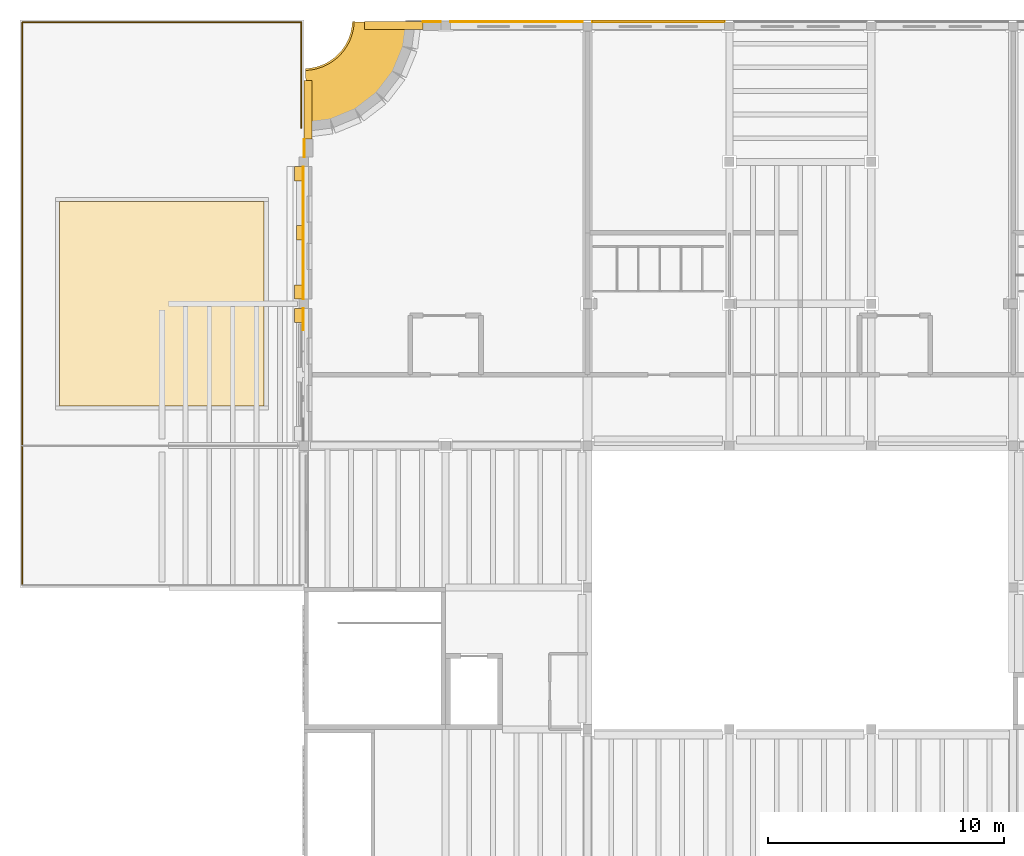
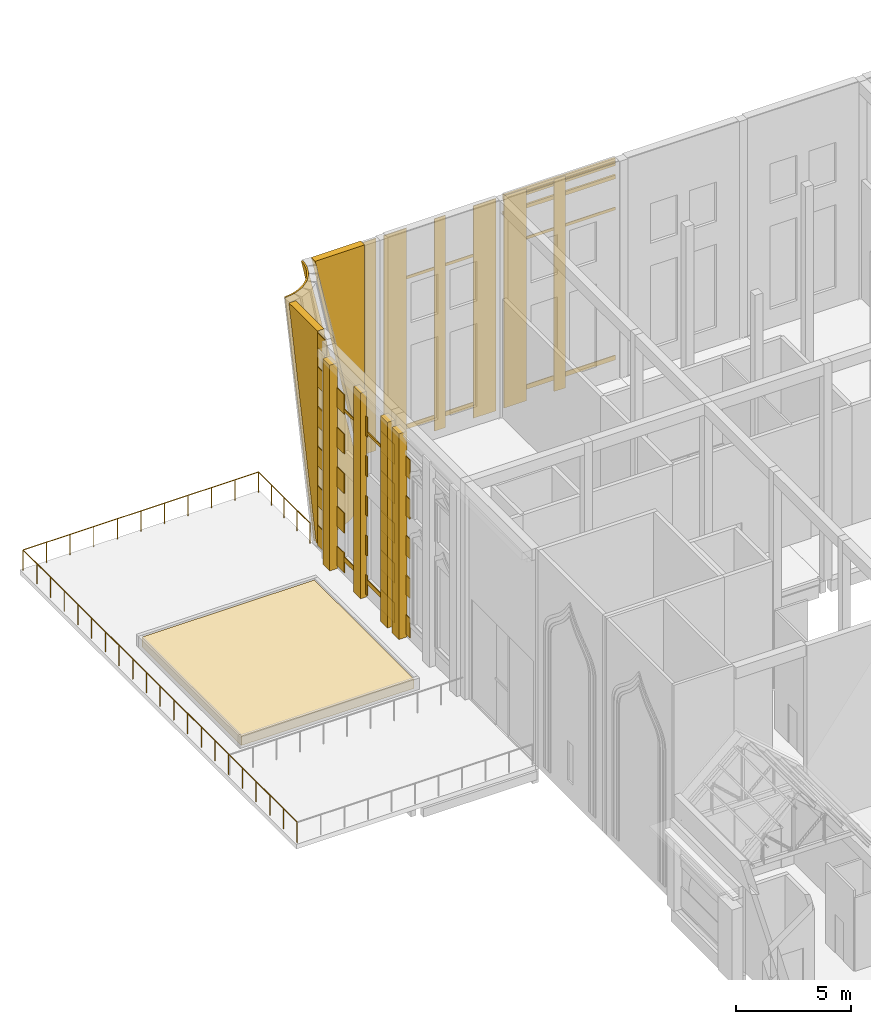
# One storey, part 114 of 118: 50 coverings, 3 railings.
"""IFC4 building model written with IfcOpenShell, lengths in metres."""

from ifc_helpers import new_model, entity, si_unit, direction, frame, origin, origin_2d, place, context, subcontext, project, spatial, polyline, rectangle, circle, outline, extrude, material, layer, layer_set, type_object, element, save


model = new_model("IFC4")

# Units and contexts
model_context = context("Model", 3, precision=1e-05, world=origin(), true_north=direction((0.0, 1.0)))
body_context = subcontext(model_context, "Body", "Model", "MODEL_VIEW")
ifc_project = project(units=[si_unit("LENGTHUNIT", "METRE"), si_unit("AREAUNIT", "SQUARE_METRE"), si_unit("VOLUMEUNIT", "CUBIC_METRE"), si_unit("PLANEANGLEUNIT", "RADIAN"), si_unit("MASSUNIT", "GRAM", prefix="KILO")], contexts=[model_context])

# Site, building, storey
site_placement = place(None, origin())
site = spatial("IfcSite", under=ifc_project, at=site_placement, CompositionType="ELEMENT")
building_placement = place(site_placement, origin())
building = spatial("IfcBuilding", under=site, at=building_placement, Name="Saffron Lane Theatres", CompositionType="ELEMENT")
storey_placement = place(building_placement, frame((0.0, 0.0, 16.5)))
storey = spatial("IfcBuildingStorey", under=building, at=storey_placement, Name="L03", CompositionType="ELEMENT", Elevation=16.5)

# Coverings
ifc_material_1 = material(Name="Masonry sandstone", Category="masonry")
ifc_layer_1 = layer(ifc_material_1, 0.179931640625)
ifc_layer_set_1 = layer_set([ifc_layer_1], Name="Masonry sandstone")
covering_type_1 = type_object("IfcCoveringType", Name="EX-EAVES CORNICE SANDSTONE 180", PredefinedType="CLADDING", material=ifc_layer_set_1)
for number, where, z_axis, x_axis, name in (
    (1, (27.0, 125.948974609375, 11.31005859375), (0.0, 0.0, 1.0), (1.0, 0.0, 0.0), "Eaves cornice L03"),
    (2, (27.0, 125.948974609375, 11.18017578125), (0.0, 0.0, 1.0), (1.0, 0.0, 0.0), "Eaves cornice L03"),
):
    element("IfcCovering", number, at=place(storey_placement, frame(where, z_axis=z_axis, x_axis=x_axis)), inside=storey, type_object=covering_type_1, Name=name, PredefinedType="CLADDING", context=body_context, shape_type="SweptSolid", body=[
        extrude(rectangle(XDim=5.60009765625, YDim=0.096923828125, at=origin_2d()), origin(), (0.0, 0.0, 1.0), 0.1298828125),
    ])
covering_1_placement = place(storey_placement, frame((27.0, 125.93994140625, 11.050048828125), z_axis=(0.0, 0.0, 1.0), x_axis=(1.0, 0.0, 0.0)))
element("IfcCovering", 3, at=covering_1_placement, inside=storey, type_object=covering_type_1, Name="Eaves cornice L03", PredefinedType="CLADDING", context=body_context, shape_type="SweptSolid", body=[
    extrude(rectangle(XDim=5.60009765625, YDim=0.080078125, at=origin_2d()), origin(), (0.0, 0.0, 1.0), 0.1298828125),
])
ifc_material_2 = material(Name="Masonry sandstone", Category="masonry")
ifc_layer_2 = layer(ifc_material_2, 0.1201171875)
ifc_layer_set_2 = layer_set([ifc_layer_2], Name="Masonry sandstone")
covering_type_2 = type_object("IfcCoveringType", Name="EX-EAVES STRING COURSE SANDSTONE 120", PredefinedType="CLADDING", material=ifc_layer_set_2)
covering_2_placement = place(storey_placement, frame((27.0, 125.948974609375, 10.35009765625), z_axis=(0.0, 0.0, 1.0), x_axis=(1.0, 0.0, 0.0)))
element("IfcCovering", 4, at=covering_2_placement, inside=storey, type_object=covering_type_2, Name="Eaves string course L03", PredefinedType="CLADDING", context=body_context, shape_type="SweptSolid", body=[
    extrude(rectangle(XDim=5.60009765625, YDim=0.096923828125, at=origin_2d()), origin(), (0.0, 0.0, 1.0), 0.199951171875),
])
ifc_material_3 = material(Name="Masonry pale clay brick", Category="masonry")
ifc_layer_3 = layer(ifc_material_3, 0.35009765625)
ifc_layer_set_3 = layer_set([ifc_layer_3], Name="Masonry pale clay brick")
covering_type_3 = type_object("IfcCoveringType", Name="EX-END INFILL CLADDING BRICK 350", PredefinedType="CLADDING", material=ifc_layer_set_3)
covering_3_placement = place(storey_placement, frame((17.0361328125, 125.93994140625, 11.5), z_axis=(0.0, 1.0, 0.0), x_axis=(0.0, 0.0, -1.0)))
element("IfcCovering", 5, at=covering_3_placement, inside=storey, type_object=covering_type_3, Name="Wall end infill L03 02", PredefinedType="CLADDING", context=body_context, shape_type="SweptSolid", body=[
    extrude(outline(polyline([(0.0, 0.0), (11.25, 0.0), (11.25, 0.10986328125), (0.0, 2.470703125), (0.0, 0.0)])), origin(), (0.0, 0.0, -1.0), 0.35009765625),
])
covering_4_placement = place(storey_placement, frame((12.0, 120.96337890625, 0.25), z_axis=(-1.0, 0.0, 0.0), x_axis=(0.0, 0.0, 1.0)))
element("IfcCovering", 6, at=covering_4_placement, inside=storey, type_object=covering_type_3, Name="Wall end infill L03 33", PredefinedType="CLADDING", context=body_context, shape_type="SweptSolid", body=[
    extrude(outline(polyline([(0.0, 0.0), (11.25, 0.0), (11.25, 2.470703125), (0.0, 0.10986328125), (0.0, 0.0)])), origin(), (0.0, 0.0, -1.0), 0.35009765625),
])
ifc_material_4 = material(Name="Face brick cladding, pale buff", Category="masonry")
ifc_layer_4 = layer(ifc_material_4, 0.0400390625)
ifc_layer_set_4 = layer_set([ifc_layer_4], Name="Face brick cladding, pale buff")
covering_type_4 = type_object("IfcCoveringType", Name="EX-FACE BRICK CLADDING PALE BUFF 40", PredefinedType="CLADDING", material=ifc_layer_set_4)
covering_5_placement = place(storey_placement, frame((17.41796875, 125.919921875, 0.14990234375), z_axis=(0.0, 0.0, 1.0), x_axis=(1.0, 0.0, 0.0)))
element("IfcCovering", 7, at=covering_5_placement, inside=storey, type_object=covering_type_4, Name="Cladding course L03", PredefinedType="CLADDING", context=body_context, shape_type="SweptSolid", body=[
    extrude(rectangle(XDim=0.763916015625, YDim=0.0400390625, at=origin_2d()), origin(), (0.0, 0.0, 1.0), 11.25),
])
covering_6_placement = place(storey_placement, frame((18.764892578125, 125.919921875, 0.14990234375), z_axis=(0.0, 0.0, 1.0), x_axis=(1.0, 0.0, 0.0)))
element("IfcCovering", 8, at=covering_6_placement, inside=storey, type_object=covering_type_4, Name="Cladding course L03", PredefinedType="CLADDING", context=body_context, shape_type="SweptSolid", body=[
    extrude(rectangle(XDim=1.1298828125, YDim=0.0400390625, at=origin_2d()), origin(), (0.0, 0.0, 1.0), 11.25),
])
covering_7_placement = place(storey_placement, frame((21.0, 125.919921875, 0.14990234375), z_axis=(0.0, 0.0, 1.0), x_axis=(1.0, 0.0, 0.0)))
element("IfcCovering", 9, at=covering_7_placement, inside=storey, type_object=covering_type_4, Name="Cladding course L03", PredefinedType="CLADDING", context=body_context, shape_type="SweptSolid", body=[
    extrude(rectangle(XDim=0.56005859375, YDim=0.0400390625, at=origin_2d()), origin(), (0.0, 0.0, 1.0), 11.25),
])
for number, where, z_axis, x_axis, name in (
    (10, (23.235107421875, 125.919921875, 0.14990234375), (0.0, 0.0, 1.0), (1.0, 0.0, 0.0), "Cladding course L03"),
    (11, (24.764892578125, 125.919921875, 0.14990234375), (0.0, 0.0, 1.0), (1.0, 0.0, 0.0), "Cladding course L03"),
):
    element("IfcCovering", number, at=place(storey_placement, frame(where, z_axis=z_axis, x_axis=x_axis)), inside=storey, type_object=covering_type_4, Name=name, PredefinedType="CLADDING", context=body_context, shape_type="SweptSolid", body=[
        extrude(rectangle(XDim=1.1298828125, YDim=0.0400390625, at=origin_2d()), origin(), (0.0, 0.0, 1.0), 11.25),
    ])
covering_8_placement = place(storey_placement, frame((27.0, 125.919921875, 0.14990234375), z_axis=(0.0, 0.0, 1.0), x_axis=(1.0, 0.0, 0.0)))
element("IfcCovering", 12, at=covering_8_placement, inside=storey, type_object=covering_type_4, Name="Cladding course L03", PredefinedType="CLADDING", context=body_context, shape_type="SweptSolid", body=[
    extrude(rectangle(XDim=0.56005859375, YDim=0.0400390625, at=origin_2d()), origin(), (0.0, 0.0, 1.0), 11.25),
])
for number, where, z_axis, x_axis, name in (
    (13, (11.97998046875, 113.3349609375, 0.14990234375), (0.0, 0.0, 1.0), (0.0, 1.0, 0.0), "Cladding course L03"),
    (14, (11.97998046875, 113.3349609375, 2.25), (0.0, 0.0, 1.0), (0.0, 1.0, 0.0), "Cladding course L03"),
    (15, (11.97998046875, 113.3349609375, 4.35009765625), (0.0, 0.0, 1.0), (0.0, 1.0, 0.0), "Cladding course L03"),
    (16, (11.97998046875, 113.3349609375, 6.4501953125), (0.0, 0.0, 1.0), (0.0, 1.0, 0.0), "Cladding course L03"),
    (17, (11.97998046875, 113.3349609375, 8.5498046875), (0.0, 0.0, 1.0), (0.0, 1.0, 0.0), "Cladding course L03"),
):
    element("IfcCovering", number, at=place(storey_placement, frame(where, z_axis=z_axis, x_axis=x_axis)), inside=storey, type_object=covering_type_4, Name=name, PredefinedType="CLADDING", context=body_context, shape_type="SweptSolid", body=[
        extrude(rectangle(XDim=0.929931640625, YDim=0.0400390625, at=origin_2d()), origin(), (0.0, 0.0, 1.0), 1.050048828125),
    ])
covering_9_placement = place(storey_placement, frame((11.97998046875, 114.81494140625, 0.14990234375), z_axis=(0.0, 0.0, 1.0), x_axis=(0.0, 1.0, 0.0)))
element("IfcCovering", 18, at=covering_9_placement, inside=storey, type_object=covering_type_4, Name="Cladding course L03", PredefinedType="CLADDING", context=body_context, shape_type="SweptSolid", body=[
    extrude(rectangle(XDim=1.22998046875, YDim=0.0400390625, at=origin_2d()), origin(), (0.0, 0.0, 1.0), 1.050048828125),
])
covering_10_placement = place(storey_placement, frame((11.97998046875, 117.0, 0.14990234375), z_axis=(0.0, 0.0, 1.0), x_axis=(0.0, 1.0, 0.0)))
element("IfcCovering", 19, at=covering_10_placement, inside=storey, type_object=covering_type_4, Name="Cladding course L03", PredefinedType="CLADDING", context=body_context, shape_type="SweptSolid", body=[
    extrude(rectangle(XDim=0.860107421875, YDim=0.0400390625, at=origin_2d()), origin(), (0.0, 0.0, 1.0), 1.050048828125),
])
for number, where, z_axis, x_axis, name in (
    (20, (11.97998046875, 119.18505859375, 0.14990234375), (0.0, 0.0, 1.0), (0.0, 1.0, 0.0), "Cladding course L03"),
    (21, (11.97998046875, 114.81494140625, 2.25), (0.0, 0.0, 1.0), (0.0, 1.0, 0.0), "Cladding course L03"),
):
    element("IfcCovering", number, at=place(storey_placement, frame(where, z_axis=z_axis, x_axis=x_axis)), inside=storey, type_object=covering_type_4, Name=name, PredefinedType="CLADDING", context=body_context, shape_type="SweptSolid", body=[
        extrude(rectangle(XDim=1.22998046875, YDim=0.0400390625, at=origin_2d()), origin(), (0.0, 0.0, 1.0), 1.050048828125),
    ])
covering_11_placement = place(storey_placement, frame((11.97998046875, 117.0, 2.25), z_axis=(0.0, 0.0, 1.0), x_axis=(0.0, 1.0, 0.0)))
element("IfcCovering", 22, at=covering_11_placement, inside=storey, type_object=covering_type_4, Name="Cladding course L03", PredefinedType="CLADDING", context=body_context, shape_type="SweptSolid", body=[
    extrude(rectangle(XDim=0.860107421875, YDim=0.0400390625, at=origin_2d()), origin(), (0.0, 0.0, 1.0), 1.050048828125),
])
for number, where, z_axis, x_axis, name in (
    (23, (11.97998046875, 119.18505859375, 2.25), (0.0, 0.0, 1.0), (0.0, 1.0, 0.0), "Cladding course L03"),
    (24, (11.97998046875, 114.81494140625, 4.35009765625), (0.0, 0.0, 1.0), (0.0, 1.0, 0.0), "Cladding course L03"),
):
    element("IfcCovering", number, at=place(storey_placement, frame(where, z_axis=z_axis, x_axis=x_axis)), inside=storey, type_object=covering_type_4, Name=name, PredefinedType="CLADDING", context=body_context, shape_type="SweptSolid", body=[
        extrude(rectangle(XDim=1.22998046875, YDim=0.0400390625, at=origin_2d()), origin(), (0.0, 0.0, 1.0), 1.050048828125),
    ])
covering_12_placement = place(storey_placement, frame((11.97998046875, 117.0, 4.35009765625), z_axis=(0.0, 0.0, 1.0), x_axis=(0.0, 1.0, 0.0)))
element("IfcCovering", 25, at=covering_12_placement, inside=storey, type_object=covering_type_4, Name="Cladding course L03", PredefinedType="CLADDING", context=body_context, shape_type="SweptSolid", body=[
    extrude(rectangle(XDim=0.860107421875, YDim=0.0400390625, at=origin_2d()), origin(), (0.0, 0.0, 1.0), 1.050048828125),
])
for number, where, z_axis, x_axis, name in (
    (26, (11.97998046875, 119.18505859375, 4.35009765625), (0.0, 0.0, 1.0), (0.0, 1.0, 0.0), "Cladding course L03"),
    (27, (11.97998046875, 114.81494140625, 6.4501953125), (0.0, 0.0, 1.0), (0.0, 1.0, 0.0), "Cladding course L03"),
):
    element("IfcCovering", number, at=place(storey_placement, frame(where, z_axis=z_axis, x_axis=x_axis)), inside=storey, type_object=covering_type_4, Name=name, PredefinedType="CLADDING", context=body_context, shape_type="SweptSolid", body=[
        extrude(rectangle(XDim=1.22998046875, YDim=0.0400390625, at=origin_2d()), origin(), (0.0, 0.0, 1.0), 1.050048828125),
    ])
covering_13_placement = place(storey_placement, frame((11.97998046875, 117.0, 6.4501953125), z_axis=(0.0, 0.0, 1.0), x_axis=(0.0, 1.0, 0.0)))
element("IfcCovering", 28, at=covering_13_placement, inside=storey, type_object=covering_type_4, Name="Cladding course L03", PredefinedType="CLADDING", context=body_context, shape_type="SweptSolid", body=[
    extrude(rectangle(XDim=0.860107421875, YDim=0.0400390625, at=origin_2d()), origin(), (0.0, 0.0, 1.0), 1.050048828125),
])
for number, where, z_axis, x_axis, name in (
    (29, (11.97998046875, 119.18505859375, 6.4501953125), (0.0, 0.0, 1.0), (0.0, 1.0, 0.0), "Cladding course L03"),
    (30, (11.97998046875, 114.81494140625, 8.5498046875), (0.0, 0.0, 1.0), (0.0, 1.0, 0.0), "Cladding course L03"),
):
    element("IfcCovering", number, at=place(storey_placement, frame(where, z_axis=z_axis, x_axis=x_axis)), inside=storey, type_object=covering_type_4, Name=name, PredefinedType="CLADDING", context=body_context, shape_type="SweptSolid", body=[
        extrude(rectangle(XDim=1.22998046875, YDim=0.0400390625, at=origin_2d()), origin(), (0.0, 0.0, 1.0), 1.050048828125),
    ])
covering_14_placement = place(storey_placement, frame((11.97998046875, 117.0, 8.5498046875), z_axis=(0.0, 0.0, 1.0), x_axis=(0.0, 1.0, 0.0)))
element("IfcCovering", 31, at=covering_14_placement, inside=storey, type_object=covering_type_4, Name="Cladding course L03", PredefinedType="CLADDING", context=body_context, shape_type="SweptSolid", body=[
    extrude(rectangle(XDim=0.860107421875, YDim=0.0400390625, at=origin_2d()), origin(), (0.0, 0.0, 1.0), 1.050048828125),
])
covering_15_placement = place(storey_placement, frame((11.97998046875, 119.18505859375, 8.5498046875), z_axis=(0.0, 0.0, 1.0), x_axis=(0.0, 1.0, 0.0)))
element("IfcCovering", 32, at=covering_15_placement, inside=storey, type_object=covering_type_4, Name="Cladding course L03", PredefinedType="CLADDING", context=body_context, shape_type="SweptSolid", body=[
    extrude(rectangle(XDim=1.22998046875, YDim=0.0400390625, at=origin_2d()), origin(), (0.0, 0.0, 1.0), 1.050048828125),
])
for number, where, z_axis, x_axis, name in (
    (33, (12.030029296875, 120.58203125, 0.14990234375), (0.0, 0.0, 1.0), (0.0, 1.0, 0.0), "Cladding course L03"),
    (34, (12.030029296875, 120.58203125, 2.25), (0.0, 0.0, 1.0), (0.0, 1.0, 0.0), "Cladding course L03"),
    (35, (12.030029296875, 120.58203125, 4.35009765625), (0.0, 0.0, 1.0), (0.0, 1.0, 0.0), "Cladding course L03"),
    (36, (12.030029296875, 120.58203125, 6.4501953125), (0.0, 0.0, 1.0), (0.0, 1.0, 0.0), "Cladding course L03"),
    (37, (12.030029296875, 120.58203125, 8.5498046875), (0.0, 0.0, 1.0), (0.0, 1.0, 0.0), "Cladding course L03"),
):
    element("IfcCovering", number, at=place(storey_placement, frame(where, z_axis=z_axis, x_axis=x_axis)), inside=storey, type_object=covering_type_4, Name=name, PredefinedType="CLADDING", context=body_context, shape_type="SweptSolid", body=[
        extrude(rectangle(XDim=0.762939453125, YDim=0.0400390625, at=origin_2d()), origin(), (0.0, 0.0, 1.0), 1.050048828125),
    ])
covering_16_placement = place(storey_placement, frame((12.030029296875, 120.58203125, 10.64990234375), z_axis=(0.0, 0.0, 1.0), x_axis=(0.0, 1.0, 0.0)))
element("IfcCovering", 38, at=covering_16_placement, inside=storey, type_object=covering_type_4, Name="Cladding course L03", PredefinedType="CLADDING", context=body_context, shape_type="SweptSolid", body=[
    extrude(rectangle(XDim=0.762939453125, YDim=0.0400390625, at=origin_2d()), origin(), (0.0, 0.0, 1.0), 0.75),
])
ifc_material_5 = material(Name="Masonry sandstone", Category="masonry")
ifc_layer_5 = layer(ifc_material_5, 0.0400390625)
ifc_layer_set_5 = layer_set([ifc_layer_5], Name="Masonry sandstone")
covering_type_5 = type_object("IfcCoveringType", Name="EX-HEAD COURSE SANDSTONE 150", PredefinedType="CLADDING", material=ifc_layer_set_5)
for number, where, z_axis, x_axis, name in (
    (39, (21.0, 125.920166015625, 8.699951171875), (0.0, 0.0, 1.0), (1.0, 0.0, 0.0), "Facade head course L03"),
    (40, (27.0, 125.920166015625, 8.699951171875), (0.0, 0.0, 1.0), (1.0, 0.0, 0.0), "Facade head course L03"),
    (41, (11.97998046875, 117.0, 8.699951171875), (0.0, 0.0, 1.0), (0.0, 1.0, 0.0), "Facade head course L03"),
):
    element("IfcCovering", number, at=place(storey_placement, frame(where, z_axis=z_axis, x_axis=x_axis)), inside=storey, type_object=covering_type_5, Name=name, PredefinedType="CLADDING", context=body_context, shape_type="SweptSolid", body=[
        extrude(rectangle(XDim=5.60009765625, YDim=0.0400390625, at=origin_2d()), origin(), (0.0, 0.0, 1.0), 0.14990234375),
    ])
ifc_material_6 = material(Name="Masonry sandstone", Category="masonry")
ifc_layer_6 = layer(ifc_material_6, 0.39990234375)
ifc_layer_set_6 = layer_set([ifc_layer_6], Name="Masonry sandstone")
covering_type_6 = type_object("IfcCoveringType", Name="EX-PILASTER PIER SANDSTONE 400", PredefinedType="CLADDING", material=ifc_layer_set_6)
for number, where, z_axis, x_axis, name in (
    (42, (11.800048828125, 113.5, 0.0), (0.0, 0.0, 1.0), (0.0, 1.0, 0.0), "Pilaster pier L03"),
    (43, (11.800048828125, 114.5, 0.0), (0.0, 0.0, 1.0), (0.0, 1.0, 0.0), "Pilaster pier L03"),
    (44, (11.800048828125, 119.5, 0.0), (0.0, 0.0, 1.0), (0.0, 1.0, 0.0), "Pilaster pier L03"),
):
    element("IfcCovering", number, at=place(storey_placement, frame(where, z_axis=z_axis, x_axis=x_axis)), inside=storey, type_object=covering_type_6, Name=name, PredefinedType="CLADDING", context=body_context, shape_type="SweptSolid", body=[
        extrude(rectangle(XDim=0.60009765625, YDim=0.39990234375, at=origin_2d()), origin(), (0.0, 0.0, 1.0), 10.89990234375),
    ])
ifc_material_7 = material(Name="Masonry pale clay brick", Category="masonry")
ifc_layer_7 = layer(ifc_material_7, 0.300048828125)
ifc_layer_set_7 = layer_set([ifc_layer_7], Name="Masonry pale clay brick")
covering_type_7 = type_object("IfcCoveringType", Name="EX-PILASTER STRIP BRICK 300", PredefinedType="CLADDING", material=ifc_layer_set_7)
covering_17_placement = place(storey_placement, frame((11.85009765625, 117.0, 0.0), z_axis=(0.0, 0.0, 1.0), x_axis=(0.0, 1.0, 0.0)))
element("IfcCovering", 45, at=covering_17_placement, inside=storey, type_object=covering_type_7, Name="Pilaster strip L03", PredefinedType="CLADDING", context=body_context, shape_type="SweptSolid", body=[
    extrude(rectangle(XDim=0.60009765625, YDim=0.300048828125, at=origin_2d()), origin(), (0.0, 0.0, 1.0), 10.89990234375),
])
ifc_material_8 = material(Name="Growing medium topsoil", Category="soil")
ifc_layer_8 = layer(ifc_material_8, 0.5)
ifc_layer_set_8 = layer_set([ifc_layer_8], Name="Growing medium topsoil")
covering_type_8 = type_object("IfcCoveringType", Name="EX-PLANTING BED GROWING MEDIUM 500", PredefinedType="CLADDING", material=ifc_layer_set_8)
covering_18_placement = place(storey_placement, origin())
element("IfcCovering", 46, at=covering_18_placement, inside=storey, type_object=covering_type_8, Name="Planting bed W", PredefinedType="CLADDING", context=body_context, shape_type="SweptSolid", body=[
    extrude(outline(polyline([(1.675048828125, 109.675048828125), (10.324951171875, 109.675048828125), (10.324951171875, 118.324951171875), (1.675048828125, 118.324951171875), (1.675048828125, 109.675048828125)])), origin(), (0.0, 0.0, 1.0), 0.5),
])
ifc_material_9 = material(Name="Face brick cladding, pale buff", Category="masonry")
ifc_layer_9 = layer(ifc_material_9, 0.080078125)
ifc_layer_set_9 = layer_set([ifc_layer_9], Name="Face brick cladding, pale buff")
covering_type_9 = type_object("IfcCoveringType", Name="EX-SCOOP SKIN FACE BRICK PALE BUFF 80", PredefinedType="CLADDING", material=ifc_layer_set_9)
covering_19_placement = place(storey_placement, frame((12.0, 125.99951171875, -16.5), z_axis=(0.0, 0.0, 1.0), x_axis=(0.034066, -0.99942, 0.0)))
cartesian_point_1 = entity("IfcCartesianPoint", [4.447509765625, 16.5])
cartesian_point_2 = entity("IfcCartesianPoint", [0.0, 0.0, 0.0])
element("IfcCovering", 47, at=covering_19_placement, inside=storey, type_object=covering_type_9, Name="Scoop skin NW L03", PredefinedType="CLADDING", context=body_context, shape_type="SweptSolid", body=[
    entity("IfcRevolvedAreaSolid", entity("IfcArbitraryClosedProfileDef", "AREA", None, entity("IfcPolyline", [cartesian_point_1, entity("IfcCartesianPoint", [4.527587890625, 16.5]), entity("IfcCartesianPoint", [2.134765625, 28.0]), entity("IfcCartesianPoint", [2.0546875, 28.0]), cartesian_point_1])), entity("IfcAxis2Placement3D", cartesian_point_2, entity("IfcDirection", [0.0, -1.0, 0.0]), entity("IfcDirection", [1.0, 0.0, 0.0])), entity("IfcAxis1Placement", cartesian_point_2, entity("IfcDirection", [0.0, 1.0, 0.0])), 1.502651),
])
ifc_material_10 = material(Name="Masonry sandstone", Category="masonry")
ifc_layer_10 = layer(ifc_material_10, 0.0400390625)
ifc_layer_set_10 = layer_set([ifc_layer_10], Name="Masonry sandstone")
covering_type_10 = type_object("IfcCoveringType", Name="EX-SILL COURSE SANDSTONE 250", PredefinedType="CLADDING", material=ifc_layer_set_10)
for number, where, z_axis, x_axis, name in (
    (48, (21.0, 125.920166015625, 0.75), (0.0, 0.0, 1.0), (1.0, 0.0, 0.0), "Facade sill course L03"),
    (49, (27.0, 125.920166015625, 0.75), (0.0, 0.0, 1.0), (1.0, 0.0, 0.0), "Facade sill course L03"),
    (50, (11.97998046875, 117.0, 0.75), (0.0, 0.0, 1.0), (0.0, 1.0, 0.0), "Facade sill course L03"),
):
    element("IfcCovering", number, at=place(storey_placement, frame(where, z_axis=z_axis, x_axis=x_axis)), inside=storey, type_object=covering_type_10, Name=name, PredefinedType="CLADDING", context=body_context, shape_type="SweptSolid", body=[
        extrude(rectangle(XDim=5.60009765625, YDim=0.0400390625, at=origin_2d()), origin(), (0.0, 0.0, 1.0), 0.25),
    ])

# Railings
railing_1_placement = place(storey_placement, frame((0.10009765625, 102.10009765625, 0.0)))
element("IfcRailing", 51, at=railing_1_placement, inside=storey, Name="Roof garden guard W", PredefinedType="GUARDRAIL", context=body_context, shape_type="SweptSolid", body=[
    extrude(circle(Radius=0.02392578125, at=origin_2d()), frame((0.0, 0.0, 1.076171875), z_axis=(0.0, 1.0, 0.0), x_axis=(-1.0, 0.0, 0.0)), (0.0, 0.0, 1.0), 23.7998046875),
    extrude(circle(Radius=0.02099609375, at=origin_2d()), origin(), (0.0, 0.0, 1.0), 1.052001953125),
    extrude(circle(Radius=0.02099609375, at=origin_2d()), frame((0.0, 1.18994140625, 0.0)), (0.0, 0.0, 1.0), 1.052001953125),
    extrude(circle(Radius=0.02099609375, at=origin_2d()), frame((0.0, 2.3798828125, 0.0)), (0.0, 0.0, 1.0), 1.052001953125),
    extrude(circle(Radius=0.02099609375, at=origin_2d()), frame((0.0, 3.570068359375, 0.0)), (0.0, 0.0, 1.0), 1.052001953125),
    extrude(circle(Radius=0.02099609375, at=origin_2d()), frame((0.0, 4.760009765625, 0.0)), (0.0, 0.0, 1.0), 1.052001953125),
    extrude(circle(Radius=0.02099609375, at=origin_2d()), frame((0.0, 5.949951171875, 0.0)), (0.0, 0.0, 1.0), 1.052001953125),
    extrude(circle(Radius=0.02099609375, at=origin_2d()), frame((0.0, 7.139892578125, 0.0)), (0.0, 0.0, 1.0), 1.052001953125),
    extrude(circle(Radius=0.02099609375, at=origin_2d()), frame((0.0, 8.329833984375, 0.0)), (0.0, 0.0, 1.0), 1.052001953125),
    extrude(circle(Radius=0.02099609375, at=origin_2d()), frame((0.0, 9.52001953125, 0.0)), (0.0, 0.0, 1.0), 1.052001953125),
    extrude(circle(Radius=0.02099609375, at=origin_2d()), frame((0.0, 10.7099609375, 0.0)), (0.0, 0.0, 1.0), 1.052001953125),
    extrude(circle(Radius=0.02099609375, at=origin_2d()), frame((0.0, 11.89990234375, 0.0)), (0.0, 0.0, 1.0), 1.052001953125),
    extrude(circle(Radius=0.02099609375, at=origin_2d()), frame((0.0, 13.08984375, 0.0)), (0.0, 0.0, 1.0), 1.052001953125),
    extrude(circle(Radius=0.02099609375, at=origin_2d()), frame((0.0, 14.27978515625, 0.0)), (0.0, 0.0, 1.0), 1.052001953125),
    extrude(circle(Radius=0.02099609375, at=origin_2d()), frame((0.0, 15.469970703125, 0.0)), (0.0, 0.0, 1.0), 1.052001953125),
    extrude(circle(Radius=0.02099609375, at=origin_2d()), frame((0.0, 16.659912109375, 0.0)), (0.0, 0.0, 1.0), 1.052001953125),
    extrude(circle(Radius=0.02099609375, at=origin_2d()), frame((0.0, 17.849853515625, 0.0)), (0.0, 0.0, 1.0), 1.052001953125),
    extrude(circle(Radius=0.02099609375, at=origin_2d()), frame((0.0, 19.039794921875, 0.0)), (0.0, 0.0, 1.0), 1.052001953125),
    extrude(circle(Radius=0.02099609375, at=origin_2d()), frame((0.0, 20.229736328125, 0.0)), (0.0, 0.0, 1.0), 1.052001953125),
    extrude(circle(Radius=0.02099609375, at=origin_2d()), frame((0.0, 21.419921875, 0.0)), (0.0, 0.0, 1.0), 1.052001953125),
    extrude(circle(Radius=0.02099609375, at=origin_2d()), frame((0.0, 22.60986328125, 0.0)), (0.0, 0.0, 1.0), 1.052001953125),
    extrude(circle(Radius=0.02099609375, at=origin_2d()), frame((0.0, 23.7998046875, 0.0)), (0.0, 0.0, 1.0), 1.052001953125),
])
railing_2_placement = place(storey_placement, frame((0.10009765625, 125.89990234375, 0.0)))
element("IfcRailing", 52, at=railing_2_placement, inside=storey, Name="Roof garden guard W", PredefinedType="GUARDRAIL", context=body_context, shape_type="SweptSolid", body=[
    extrude(circle(Radius=0.02392578125, at=origin_2d()), frame((0.0, 0.0, 1.076171875), z_axis=(1.0, 0.0, 0.0), x_axis=(0.0, 1.0, 0.0)), (0.0, 0.0, 1.0), 11.7998046875),
    extrude(circle(Radius=0.02099609375, at=origin_2d()), origin(), (0.0, 0.0, 1.0), 1.052001953125),
    extrude(circle(Radius=0.02099609375, at=origin_2d()), frame((1.179931640625, 0.0, 0.0)), (0.0, 0.0, 1.0), 1.052001953125),
    extrude(circle(Radius=0.02099609375, at=origin_2d()), frame((2.35986328125, 0.0, 0.0)), (0.0, 0.0, 1.0), 1.052001953125),
    extrude(circle(Radius=0.02099609375, at=origin_2d()), frame((3.5400390625, 0.0, 0.0)), (0.0, 0.0, 1.0), 1.052001953125),
    extrude(circle(Radius=0.02099609375, at=origin_2d()), frame((4.719970703125, 0.0, 0.0)), (0.0, 0.0, 1.0), 1.052001953125),
    extrude(circle(Radius=0.02099609375, at=origin_2d()), frame((5.89990234375, 0.0, 0.0)), (0.0, 0.0, 1.0), 1.052001953125),
    extrude(circle(Radius=0.02099609375, at=origin_2d()), frame((7.079833984375, 0.0, 0.0)), (0.0, 0.0, 1.0), 1.052001953125),
    extrude(circle(Radius=0.02099609375, at=origin_2d()), frame((8.259765625, 0.0, 0.0)), (0.0, 0.0, 1.0), 1.052001953125),
    extrude(circle(Radius=0.02099609375, at=origin_2d()), frame((9.43994140625, 0.0, 0.0)), (0.0, 0.0, 1.0), 1.052001953125),
    extrude(circle(Radius=0.02099609375, at=origin_2d()), frame((10.619873046875, 0.0, 0.0)), (0.0, 0.0, 1.0), 1.052001953125),
    extrude(circle(Radius=0.02099609375, at=origin_2d()), frame((11.7998046875, 0.0, 0.0)), (0.0, 0.0, 1.0), 1.052001953125),
])
railing_3_placement = place(storey_placement, frame((11.89990234375, 121.433349609375, 0.0)))
element("IfcRailing", 53, at=railing_3_placement, inside=storey, Name="Roof garden guard W", PredefinedType="GUARDRAIL", context=body_context, shape_type="SweptSolid", body=[
    extrude(circle(Radius=0.02392578125, at=origin_2d()), frame((0.0, 0.0, 1.076171875), z_axis=(0.0, 1.0, 0.0), x_axis=(-1.0, 0.0, 0.0)), (0.0, 0.0, 1.0), 4.466552734375),
    extrude(circle(Radius=0.02099609375, at=origin_2d()), origin(), (0.0, 0.0, 1.0), 1.052001953125),
    extrude(circle(Radius=0.02099609375, at=origin_2d()), frame((0.0, 1.11669921875, 0.0)), (0.0, 0.0, 1.0), 1.052001953125),
    extrude(circle(Radius=0.02099609375, at=origin_2d()), frame((0.0, 2.2333984375, 0.0)), (0.0, 0.0, 1.0), 1.052001953125),
    extrude(circle(Radius=0.02099609375, at=origin_2d()), frame((0.0, 3.349853515625, 0.0)), (0.0, 0.0, 1.0), 1.052001953125),
    extrude(circle(Radius=0.02099609375, at=origin_2d()), frame((0.0, 4.466552734375, 0.0)), (0.0, 0.0, 1.0), 1.052001953125),
])

save(model, "model.ifc")
